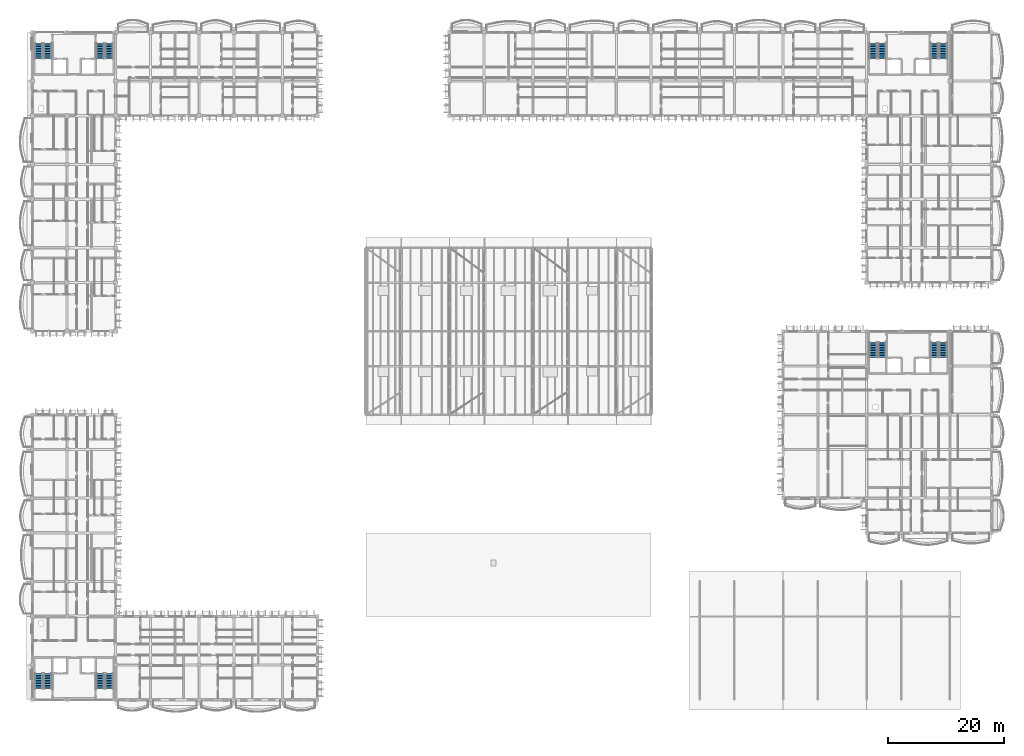
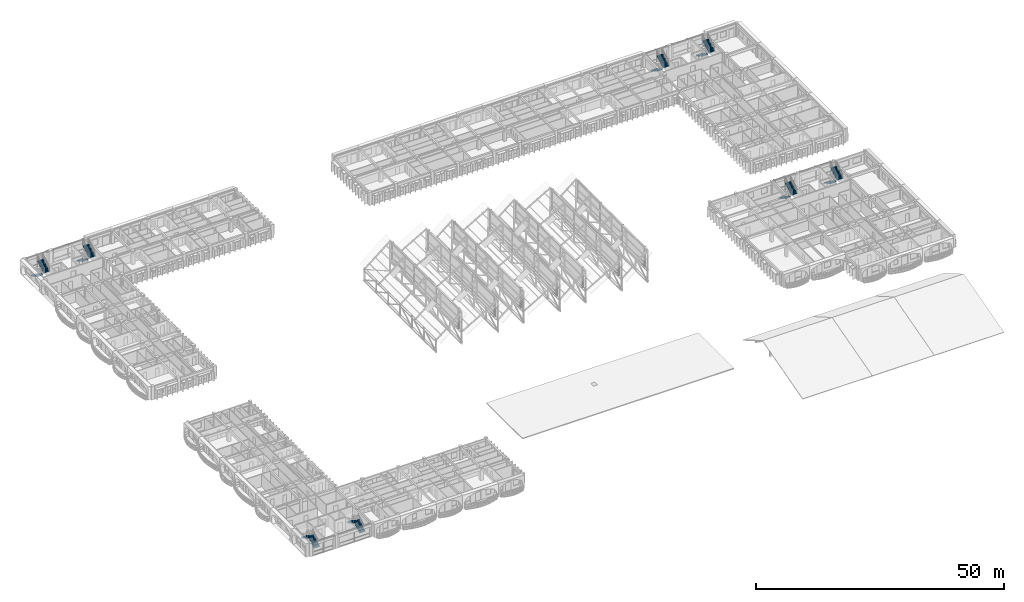
# One storey, part 67 of 101: 16 stair flights, 8 elements without a shape of their own.
"""IFC4 building model written with IfcOpenShell, lengths in metres."""

import ifcopenshell
import ifcopenshell.guid

model = None  # the IFC model being written
_history = None  # IfcOwnerHistory: only IFC2X3 demands one
_inside = {}  # id of a spatial element -> (the spatial element, [elements in it])
_under = {}  # id of a project, library or spatial element -> (it, [spatial elements below it])
_declared = {}  # id of a project -> (the project, [libraries it declares])
_typed = {}  # id of a type object -> (the type object, [elements of that type])
_made_of = {}  # id of a material, layer set ... -> (it, [elements and type objects made of it])


def new_model(schema):
    """Start an empty IFC model of exactly this schema.

    Asked for "IFC4X3", IfcOpenShell would pick the latest addendum, in which some entities
    have other attributes; the version numbers below select the first issue.
    IFC2X3 requires an IfcOwnerHistory on every rooted entity: one is made here for all.
    """
    global model, _history
    if schema == "IFC4X3":
        model = ifcopenshell.file(schema_version=(4, 3, 0, 0))
    else:
        model = ifcopenshell.file(schema=schema)
    _inside.clear()
    _under.clear()
    _declared.clear()
    _typed.clear()
    _made_of.clear()
    _history = None
    if model.schema == "IFC2X3":
        org = make("IfcOrganization", Name="unknown")
        user = make(
            "IfcPersonAndOrganization",
            ThePerson=make("IfcPerson", FamilyName="unknown"),
            TheOrganization=org,
        )
        app = make(
            "IfcApplication",
            ApplicationDeveloper=org,
            Version="unknown",
            ApplicationFullName="unknown",
            ApplicationIdentifier="unknown",
        )
        _history = make(
            "IfcOwnerHistory",
            OwningUser=user,
            OwningApplication=app,
            ChangeAction="ADDED",
            CreationDate=0,
        )
    return model


def make(cls, **values):
    """One entity of the class cls with the attributes given. An attribute that is None is left unset."""
    return model.create_entity(
        cls, **{name: value for name, value in values.items() if value is not None}
    )


def rooted(cls, **values):
    """An entity with a GlobalId (a new one), such as an element, a storey or a relation."""
    return make(cls, GlobalId=ifcopenshell.guid.new(), OwnerHistory=_history, **values)


def si_unit(unit_type, name, prefix=None):
    """IfcSIUnit, for example si_unit("LENGTHUNIT", "METRE", prefix="MILLI")."""
    return make("IfcSIUnit", UnitType=unit_type, Prefix=prefix, Name=name)


def assignment(units):
    """IfcUnitAssignment: the units of a project."""
    return None if units is None else make("IfcUnitAssignment", Units=units)


def point(xyz):
    """IfcCartesianPoint."""
    return None if xyz is None else make("IfcCartesianPoint", Coordinates=xyz)


def direction(xyz):
    """IfcDirection."""
    return None if xyz is None else make("IfcDirection", DirectionRatios=xyz)


def frame(location, z_axis=None, x_axis=None):
    """IfcAxis2Placement3D, a coordinate frame: its origin and axes. An axis left out is left unset."""
    return make(
        "IfcAxis2Placement3D",
        Location=point(location),
        Axis=direction(z_axis),
        RefDirection=direction(x_axis),
    )


def origin():
    """The frame at (0, 0, 0) with its axes left unset."""
    return frame((0.0, 0.0, 0.0))


def place(relative_to, where):
    """IfcLocalPlacement: puts the frame where relative to a parent placement (None: the world)."""
    return make(
        "IfcLocalPlacement", PlacementRelTo=relative_to, RelativePlacement=where
    )


def context(
    kind, dimensions, precision=None, world=None, true_north=None, identifier=None
):
    """IfcGeometricRepresentationContext, for example the 3D "Model" context."""
    return make(
        "IfcGeometricRepresentationContext",
        ContextIdentifier=identifier,
        ContextType=kind,
        CoordinateSpaceDimension=dimensions,
        Precision=precision,
        WorldCoordinateSystem=world,
        TrueNorth=true_north,
    )


def subcontext(parent, identifier, kind, view, scale=None):
    """IfcGeometricRepresentationSubContext, for example "Body" below "Model"."""
    return make(
        "IfcGeometricRepresentationSubContext",
        ContextIdentifier=identifier,
        ContextType=kind,
        ParentContext=parent,
        TargetScale=scale,
        TargetView=view,
    )


def project(units=None, contexts=None):
    """IfcProject with its units and contexts."""
    return rooted(
        "IfcProject",
        Name="project",
        RepresentationContexts=contexts,
        UnitsInContext=assignment(units),
    )


def spatial(cls, under=None, at=None, **own):
    """A site, building, storey or space (cls), placed at a placement, below another one or the project."""
    s = rooted(cls, ObjectPlacement=at, **own)
    if under is not None:
        _under.setdefault(under.id(), (under, []))[1].append(s)
    return s


def polyline(points):
    """IfcPolyline through the points."""
    return make("IfcPolyline", Points=[point(p) for p in points])


def outline(outer, holes=None, kind="AREA"):
    """IfcArbitraryClosedProfileDef: a profile drawn as a closed curve; with holes, ...WithVoids."""
    if holes is None:
        return make("IfcArbitraryClosedProfileDef", ProfileType=kind, OuterCurve=outer)
    return make(
        "IfcArbitraryProfileDefWithVoids",
        ProfileType=kind,
        OuterCurve=outer,
        InnerCurves=holes,
    )


def extrude(swept, where, along, depth):
    """IfcExtrudedAreaSolid: the profile swept, set in the frame where, extruded along a direction by depth."""
    return make(
        "IfcExtrudedAreaSolid",
        SweptArea=swept,
        Position=where,
        ExtrudedDirection=direction(along),
        Depth=depth,
    )


def shape(context_of_items, identifier, shape_type, items):
    """IfcShapeRepresentation: the items that make up one representation, for example the "Body"."""
    return make(
        "IfcShapeRepresentation",
        ContextOfItems=context_of_items,
        RepresentationIdentifier=identifier,
        RepresentationType=shape_type,
        Items=items,
    )


def material(Name=None, Category=None):
    """IfcMaterial."""
    return make("IfcMaterial", Name=Name, Category=Category)


def made_of(thing, what):
    """Note that an element or type object is made of a material, layer set ...; save() writes the relation."""
    if what is not None:
        _made_of.setdefault(what.id(), (what, []))[1].append(thing)
    return thing


def type_object(cls, material=None, **own):
    """A type object (cls), such as IfcWallType, which elements share."""
    return made_of(rooted(cls, **own), material)


def element(
    cls,
    number,
    at=None,
    inside=None,
    cuts=None,
    type_object=None,
    material=None,
    context=None,
    identifier="Body",
    shape_type=None,
    held_by="IfcProductDefinitionShape",
    body=None,
    shapes=None,
    **own,
):
    """One element of the class cls, such as IfcWall. Its Tag is "e" and its number.

    at: its placement. inside: the storey or other place that contains it. cuts: it is an
    opening in that element (IfcRelVoidsElement). A single representation is given by context,
    identifier, shape_type and body (its items); several are given by shapes. held_by: the class
    of the entity that holds the representations. save() writes the other relations.
    """
    e = rooted(cls, Tag="e%d" % number, ObjectPlacement=at, **own)
    if body is not None:
        shapes = [shape(context, identifier, shape_type, body)]
    if shapes is not None:
        e.Representation = make(held_by, Representations=shapes)
    if inside is not None:
        _inside.setdefault(inside.id(), (inside, []))[1].append(e)
    if cuts is not None:
        rooted(
            "IfcRelVoidsElement", RelatingBuildingElement=cuts, RelatedOpeningElement=e
        )
    if type_object is not None:
        _typed.setdefault(type_object.id(), (type_object, []))[1].append(e)
    return made_of(e, material)


def aggregate(whole, parts):
    """IfcRelAggregates: a whole, such as a stair, and the parts it consists of."""
    return rooted("IfcRelAggregates", RelatingObject=whole, RelatedObjects=parts)


def save(model, path):
    """Write the relations noted so far, then the file.

    IfcRelAggregates (storeys below a building ...), IfcRelContainedInSpatialStructure (elements
    in a storey), IfcRelDefinesByType, IfcRelAssociatesMaterial and IfcRelDeclares: one each for
    every whole, place, type object, material and project.
    """
    for whole, parts in _under.values():
        aggregate(whole, parts)
    for where, things in _inside.values():
        rooted(
            "IfcRelContainedInSpatialStructure",
            RelatedElements=things,
            RelatingStructure=where,
        )
    for kind, things in _typed.values():
        rooted("IfcRelDefinesByType", RelatedObjects=things, RelatingType=kind)
    for what, things in _made_of.values():
        rooted("IfcRelAssociatesMaterial", RelatedObjects=things, RelatingMaterial=what)
    for by, libraries in _declared.values():
        rooted("IfcRelDeclares", RelatingContext=by, RelatedDefinitions=libraries)
    model.write(path)


model = new_model("IFC4")

# Units and contexts
model_context = context("Model", 3, precision=1e-05, world=origin(), true_north=direction((0.0, 1.0)))
body_context = subcontext(model_context, "Body", "Model", "MODEL_VIEW")
ifc_project = project(units=[si_unit("LENGTHUNIT", "METRE"), si_unit("AREAUNIT", "SQUARE_METRE"), si_unit("VOLUMEUNIT", "CUBIC_METRE"), si_unit("PLANEANGLEUNIT", "RADIAN"), si_unit("MASSUNIT", "GRAM", prefix="KILO"), si_unit("THERMODYNAMICTEMPERATUREUNIT", "KELVIN")], contexts=[model_context])

# Site, building, storey
site_placement = place(None, origin())
site = spatial("IfcSite", under=ifc_project, at=site_placement, CompositionType="ELEMENT")
building_placement = place(site_placement, origin())
building = spatial("IfcBuilding", under=site, at=building_placement, Name="Thalorik Housing Commons", CompositionType="ELEMENT")
storey_placement = place(building_placement, frame((0.0, 0.0, 8.10009765625)))
storey = spatial("IfcBuildingStorey", under=building, at=storey_placement, Name="L02", CompositionType="ELEMENT", Elevation=8.10009765625)

# Stair, stair flights
ifc_material = material(Name="Precast concrete C40/50", Category="concrete")
stair_type = type_object("IfcStairType", Name="ARC-STR-1350-R20", PredefinedType="HALF_TURN_STAIR", material=ifc_material)
stair_1_placement = place(storey_placement, origin())
stair_1 = element("IfcStair", 1, at=stair_1_placement, inside=storey, type_object=stair_type, Name="L02 Block A Smoke-Proof Stair 1", PredefinedType="HALF_TURN_STAIR")
stair_flight_type = type_object("IfcStairFlightType", Name="ARC-SFLT-1350-R10", PredefinedType="STRAIGHT", material=ifc_material)
stair_flight_1_placement = place(storey_placement, frame((9.52490234375, 121.699951171875, 0.0), z_axis=(0.0, 0.0, 1.0), x_axis=(0.0, -1.0, 0.0)))
stair_flight_1 = element("IfcStairFlight", 2, at=stair_flight_1_placement, type_object=stair_flight_type, Name="ST-A1 flight 1", NumberOfRisers=10, NumberOfTreads=9, PredefinedType="STRAIGHT", RiserHeight=0.165, TreadLength=0.29, context=body_context, shape_type="SweptSolid", body=[
    extrude(outline(polyline([(0.0, 0.0), (0.0, 0.1650390625), (0.2900390625, 0.1650390625), (0.2900390625, 0.330078125), (0.580078125, 0.330078125), (0.580078125, 0.4951171875), (0.8701171875, 0.4951171875), (0.8701171875, 0.659912109375), (1.159912109375, 0.659912109375), (1.159912109375, 0.824951171875), (1.449951171875, 0.824951171875), (1.449951171875, 0.989990234375), (1.739990234375, 0.989990234375), (1.739990234375, 1.155029296875), (2.030029296875, 1.155029296875), (2.030029296875, 1.320068359375), (2.320068359375, 1.320068359375), (2.320068359375, 1.485107421875), (2.610107421875, 1.485107421875), (2.610107421875, 1.64990234375), (2.610107421875, 1.301025390625), (0.323486328125, 0.0), (0.0, 0.0)])), frame((0.0, 0.675048828125, 0.0), z_axis=(0.0, -1.0, 0.0), x_axis=(1.0, 0.0, 0.0)), (0.0, 0.0, 1.0), 1.35009765625),
])
stair_flight_2_placement = place(storey_placement, frame((11.074951171875, 119.090087890625, 1.64990234375), z_axis=(0.0, 0.0, 1.0), x_axis=(0.0, 1.0, 0.0)))
stair_flight_2 = element("IfcStairFlight", 3, at=stair_flight_2_placement, type_object=stair_flight_type, Name="ST-A1 flight 2", NumberOfRisers=10, NumberOfTreads=9, PredefinedType="STRAIGHT", RiserHeight=0.165, TreadLength=0.29, context=body_context, shape_type="SweptSolid", body=[
    extrude(outline(polyline([(0.0, 0.0), (0.0, 0.1650390625), (0.2900390625, 0.1650390625), (0.2900390625, 0.330078125), (0.580078125, 0.330078125), (0.580078125, 0.4951171875), (0.8701171875, 0.4951171875), (0.8701171875, 0.659912109375), (1.159912109375, 0.659912109375), (1.159912109375, 0.824951171875), (1.449951171875, 0.824951171875), (1.449951171875, 0.989990234375), (1.739990234375, 0.989990234375), (1.739990234375, 1.155029296875), (2.030029296875, 1.155029296875), (2.030029296875, 1.320068359375), (2.320068359375, 1.320068359375), (2.320068359375, 1.485107421875), (2.610107421875, 1.485107421875), (2.610107421875, 1.64990234375), (2.610107421875, 1.301025390625), (0.323486328125, 0.0), (0.0, 0.0)])), frame((0.0, 0.675048828125, 0.0), z_axis=(0.0, -1.0, 0.0), x_axis=(1.0, 0.0, 0.0)), (0.0, 0.0, 1.0), 1.35009765625),
])
aggregate(stair_1, [stair_flight_1, stair_flight_2])

stair_2_placement = place(storey_placement, origin())
stair_2 = element("IfcStair", 4, at=stair_2_placement, inside=storey, type_object=stair_type, Name="L02 Block A Smoke-Proof Stair 2", PredefinedType="HALF_TURN_STAIR")
stair_flight_3_placement = place(storey_placement, frame((20.125, 121.699951171875, 0.0), z_axis=(0.0, 0.0, 1.0), x_axis=(0.0, -1.0, 0.0)))
stair_flight_3 = element("IfcStairFlight", 5, at=stair_flight_3_placement, type_object=stair_flight_type, Name="ST-A2 flight 1", NumberOfRisers=10, NumberOfTreads=9, PredefinedType="STRAIGHT", RiserHeight=0.165, TreadLength=0.29, context=body_context, shape_type="SweptSolid", body=[
    extrude(outline(polyline([(0.0, 0.0), (0.0, 0.1650390625), (0.2900390625, 0.1650390625), (0.2900390625, 0.330078125), (0.580078125, 0.330078125), (0.580078125, 0.4951171875), (0.8701171875, 0.4951171875), (0.8701171875, 0.659912109375), (1.159912109375, 0.659912109375), (1.159912109375, 0.824951171875), (1.449951171875, 0.824951171875), (1.449951171875, 0.989990234375), (1.739990234375, 0.989990234375), (1.739990234375, 1.155029296875), (2.030029296875, 1.155029296875), (2.030029296875, 1.320068359375), (2.320068359375, 1.320068359375), (2.320068359375, 1.485107421875), (2.610107421875, 1.485107421875), (2.610107421875, 1.64990234375), (2.610107421875, 1.301025390625), (0.323486328125, 0.0), (0.0, 0.0)])), frame((0.0, 0.675048828125, 0.0), z_axis=(0.0, -1.0, 0.0), x_axis=(1.0, 0.0, 0.0)), (0.0, 0.0, 1.0), 1.35009765625),
])
stair_flight_4_placement = place(storey_placement, frame((21.675048828125, 119.090087890625, 1.64990234375), z_axis=(0.0, 0.0, 1.0), x_axis=(0.0, 1.0, 0.0)))
stair_flight_4 = element("IfcStairFlight", 6, at=stair_flight_4_placement, type_object=stair_flight_type, Name="ST-A2 flight 2", NumberOfRisers=10, NumberOfTreads=9, PredefinedType="STRAIGHT", RiserHeight=0.165, TreadLength=0.29, context=body_context, shape_type="SweptSolid", body=[
    extrude(outline(polyline([(0.0, 0.0), (0.0, 0.1650390625), (0.2900390625, 0.1650390625), (0.2900390625, 0.330078125), (0.580078125, 0.330078125), (0.580078125, 0.4951171875), (0.8701171875, 0.4951171875), (0.8701171875, 0.659912109375), (1.159912109375, 0.659912109375), (1.159912109375, 0.824951171875), (1.449951171875, 0.824951171875), (1.449951171875, 0.989990234375), (1.739990234375, 0.989990234375), (1.739990234375, 1.155029296875), (2.030029296875, 1.155029296875), (2.030029296875, 1.320068359375), (2.320068359375, 1.320068359375), (2.320068359375, 1.485107421875), (2.610107421875, 1.485107421875), (2.610107421875, 1.64990234375), (2.610107421875, 1.301025390625), (0.323486328125, 0.0), (0.0, 0.0)])), frame((0.0, 0.675048828125, 0.0), z_axis=(0.0, -1.0, 0.0), x_axis=(1.0, 0.0, 0.0)), (0.0, 0.0, 1.0), 1.35009765625),
])
aggregate(stair_2, [stair_flight_3, stair_flight_4])

stair_3_placement = place(storey_placement, origin())
stair_3 = element("IfcStair", 7, at=stair_3_placement, inside=storey, type_object=stair_type, Name="L02 Block B Smoke-Proof Stair 1", PredefinedType="HALF_TURN_STAIR")
stair_flight_5_placement = place(storey_placement, frame((153.52490234375, 121.699951171875, 0.0), z_axis=(0.0, 0.0, 1.0), x_axis=(0.0, -1.0, 0.0)))
stair_flight_5 = element("IfcStairFlight", 8, at=stair_flight_5_placement, type_object=stair_flight_type, Name="ST-B1 flight 1", NumberOfRisers=10, NumberOfTreads=9, PredefinedType="STRAIGHT", RiserHeight=0.165, TreadLength=0.29, context=body_context, shape_type="SweptSolid", body=[
    extrude(outline(polyline([(0.0, 0.0), (0.0, 0.1650390625), (0.2900390625, 0.1650390625), (0.2900390625, 0.330078125), (0.580078125, 0.330078125), (0.580078125, 0.4951171875), (0.8701171875, 0.4951171875), (0.8701171875, 0.659912109375), (1.159912109375, 0.659912109375), (1.159912109375, 0.824951171875), (1.449951171875, 0.824951171875), (1.449951171875, 0.989990234375), (1.739990234375, 0.989990234375), (1.739990234375, 1.155029296875), (2.030029296875, 1.155029296875), (2.030029296875, 1.320068359375), (2.320068359375, 1.320068359375), (2.320068359375, 1.485107421875), (2.610107421875, 1.485107421875), (2.610107421875, 1.64990234375), (2.610107421875, 1.301025390625), (0.323486328125, 0.0), (0.0, 0.0)])), frame((0.0, 0.675048828125, 0.0), z_axis=(0.0, -1.0, 0.0), x_axis=(1.0, 0.0, 0.0)), (0.0, 0.0, 1.0), 1.35009765625),
])
stair_flight_6_placement = place(storey_placement, frame((155.074951171875, 119.090087890625, 1.64990234375), z_axis=(0.0, 0.0, 1.0), x_axis=(0.0, 1.0, 0.0)))
stair_flight_6 = element("IfcStairFlight", 9, at=stair_flight_6_placement, type_object=stair_flight_type, Name="ST-B1 flight 2", NumberOfRisers=10, NumberOfTreads=9, PredefinedType="STRAIGHT", RiserHeight=0.165, TreadLength=0.29, context=body_context, shape_type="SweptSolid", body=[
    extrude(outline(polyline([(0.0, 0.0), (0.0, 0.1650390625), (0.2900390625, 0.1650390625), (0.2900390625, 0.330078125), (0.580078125, 0.330078125), (0.580078125, 0.4951171875), (0.8701171875, 0.4951171875), (0.8701171875, 0.659912109375), (1.159912109375, 0.659912109375), (1.159912109375, 0.824951171875), (1.449951171875, 0.824951171875), (1.449951171875, 0.989990234375), (1.739990234375, 0.989990234375), (1.739990234375, 1.155029296875), (2.030029296875, 1.155029296875), (2.030029296875, 1.320068359375), (2.320068359375, 1.320068359375), (2.320068359375, 1.485107421875), (2.610107421875, 1.485107421875), (2.610107421875, 1.64990234375), (2.610107421875, 1.301025390625), (0.323486328125, 0.0), (0.0, 0.0)])), frame((0.0, 0.675048828125, 0.0), z_axis=(0.0, -1.0, 0.0), x_axis=(1.0, 0.0, 0.0)), (0.0, 0.0, 1.0), 1.35009765625),
])
aggregate(stair_3, [stair_flight_5, stair_flight_6])

stair_4_placement = place(storey_placement, origin())
stair_4 = element("IfcStair", 10, at=stair_4_placement, inside=storey, type_object=stair_type, Name="L02 Block B Smoke-Proof Stair 2", PredefinedType="HALF_TURN_STAIR")
stair_flight_7_placement = place(storey_placement, frame((164.125, 121.699951171875, 0.0), z_axis=(0.0, 0.0, 1.0), x_axis=(0.0, -1.0, 0.0)))
stair_flight_7 = element("IfcStairFlight", 11, at=stair_flight_7_placement, type_object=stair_flight_type, Name="ST-B2 flight 1", NumberOfRisers=10, NumberOfTreads=9, PredefinedType="STRAIGHT", RiserHeight=0.165, TreadLength=0.29, context=body_context, shape_type="SweptSolid", body=[
    extrude(outline(polyline([(0.0, 0.0), (0.0, 0.1650390625), (0.2900390625, 0.1650390625), (0.2900390625, 0.330078125), (0.580078125, 0.330078125), (0.580078125, 0.4951171875), (0.8701171875, 0.4951171875), (0.8701171875, 0.659912109375), (1.159912109375, 0.659912109375), (1.159912109375, 0.824951171875), (1.449951171875, 0.824951171875), (1.449951171875, 0.989990234375), (1.739990234375, 0.989990234375), (1.739990234375, 1.155029296875), (2.030029296875, 1.155029296875), (2.030029296875, 1.320068359375), (2.320068359375, 1.320068359375), (2.320068359375, 1.485107421875), (2.610107421875, 1.485107421875), (2.610107421875, 1.64990234375), (2.610107421875, 1.301025390625), (0.323486328125, 0.0), (0.0, 0.0)])), frame((0.0, 0.675048828125, 0.0), z_axis=(0.0, -1.0, 0.0), x_axis=(1.0, 0.0, 0.0)), (0.0, 0.0, 1.0), 1.35009765625),
])
stair_flight_8_placement = place(storey_placement, frame((165.675048828125, 119.090087890625, 1.64990234375), z_axis=(0.0, 0.0, 1.0), x_axis=(0.0, 1.0, 0.0)))
stair_flight_8 = element("IfcStairFlight", 12, at=stair_flight_8_placement, type_object=stair_flight_type, Name="ST-B2 flight 2", NumberOfRisers=10, NumberOfTreads=9, PredefinedType="STRAIGHT", RiserHeight=0.165, TreadLength=0.29, context=body_context, shape_type="SweptSolid", body=[
    extrude(outline(polyline([(0.0, 0.0), (0.0, 0.1650390625), (0.2900390625, 0.1650390625), (0.2900390625, 0.330078125), (0.580078125, 0.330078125), (0.580078125, 0.4951171875), (0.8701171875, 0.4951171875), (0.8701171875, 0.659912109375), (1.159912109375, 0.659912109375), (1.159912109375, 0.824951171875), (1.449951171875, 0.824951171875), (1.449951171875, 0.989990234375), (1.739990234375, 0.989990234375), (1.739990234375, 1.155029296875), (2.030029296875, 1.155029296875), (2.030029296875, 1.320068359375), (2.320068359375, 1.320068359375), (2.320068359375, 1.485107421875), (2.610107421875, 1.485107421875), (2.610107421875, 1.64990234375), (2.610107421875, 1.301025390625), (0.323486328125, 0.0), (0.0, 0.0)])), frame((0.0, 0.675048828125, 0.0), z_axis=(0.0, -1.0, 0.0), x_axis=(1.0, 0.0, 0.0)), (0.0, 0.0, 1.0), 1.35009765625),
])
aggregate(stair_4, [stair_flight_7, stair_flight_8])

stair_5_placement = place(storey_placement, origin())
stair_5 = element("IfcStair", 13, at=stair_5_placement, inside=storey, type_object=stair_type, Name="L02 Block C Smoke-Proof Stair 1", PredefinedType="HALF_TURN_STAIR")
stair_flight_9_placement = place(storey_placement, frame((11.074951171875, 10.300048828125, 0.0), z_axis=(0.0, 0.0, 1.0), x_axis=(0.0, 1.0, 0.0)))
stair_flight_9 = element("IfcStairFlight", 14, at=stair_flight_9_placement, type_object=stair_flight_type, Name="ST-C1 flight 1", NumberOfRisers=10, NumberOfTreads=9, PredefinedType="STRAIGHT", RiserHeight=0.165, TreadLength=0.29, context=body_context, shape_type="SweptSolid", body=[
    extrude(outline(polyline([(0.0, 0.0), (0.0, 0.1650390625), (0.2900390625, 0.1650390625), (0.2900390625, 0.330078125), (0.580078125, 0.330078125), (0.580078125, 0.4951171875), (0.8701171875, 0.4951171875), (0.8701171875, 0.659912109375), (1.159912109375, 0.659912109375), (1.159912109375, 0.824951171875), (1.449951171875, 0.824951171875), (1.449951171875, 0.989990234375), (1.739990234375, 0.989990234375), (1.739990234375, 1.155029296875), (2.030029296875, 1.155029296875), (2.030029296875, 1.320068359375), (2.320068359375, 1.320068359375), (2.320068359375, 1.485107421875), (2.610107421875, 1.485107421875), (2.610107421875, 1.64990234375), (2.610107421875, 1.301025390625), (0.323486328125, 0.0), (0.0, 0.0)])), frame((0.0, 0.675048828125, 0.0), z_axis=(0.0, -1.0, 0.0), x_axis=(1.0, 0.0, 0.0)), (0.0, 0.0, 1.0), 1.35009765625),
])
stair_flight_10_placement = place(storey_placement, frame((9.52490234375, 12.909912109375, 1.64990234375), z_axis=(0.0, 0.0, 1.0), x_axis=(0.0, -1.0, 0.0)))
stair_flight_10 = element("IfcStairFlight", 15, at=stair_flight_10_placement, type_object=stair_flight_type, Name="ST-C1 flight 2", NumberOfRisers=10, NumberOfTreads=9, PredefinedType="STRAIGHT", RiserHeight=0.165, TreadLength=0.29, context=body_context, shape_type="SweptSolid", body=[
    extrude(outline(polyline([(0.0, 0.0), (0.0, 0.1650390625), (0.2900390625, 0.1650390625), (0.2900390625, 0.330078125), (0.580078125, 0.330078125), (0.580078125, 0.4951171875), (0.8701171875, 0.4951171875), (0.8701171875, 0.659912109375), (1.159912109375, 0.659912109375), (1.159912109375, 0.824951171875), (1.449951171875, 0.824951171875), (1.449951171875, 0.989990234375), (1.739990234375, 0.989990234375), (1.739990234375, 1.155029296875), (2.030029296875, 1.155029296875), (2.030029296875, 1.320068359375), (2.320068359375, 1.320068359375), (2.320068359375, 1.485107421875), (2.610107421875, 1.485107421875), (2.610107421875, 1.64990234375), (2.610107421875, 1.301025390625), (0.323486328125, 0.0), (0.0, 0.0)])), frame((0.0, 0.675048828125, 0.0), z_axis=(0.0, -1.0, 0.0), x_axis=(1.0, 0.0, 0.0)), (0.0, 0.0, 1.0), 1.35009765625),
])
aggregate(stair_5, [stair_flight_9, stair_flight_10])

stair_6_placement = place(storey_placement, origin())
stair_6 = element("IfcStair", 16, at=stair_6_placement, inside=storey, type_object=stair_type, Name="L02 Block C Smoke-Proof Stair 2", PredefinedType="HALF_TURN_STAIR")
stair_flight_11_placement = place(storey_placement, frame((21.675048828125, 10.300048828125, 0.0), z_axis=(0.0, 0.0, 1.0), x_axis=(0.0, 1.0, 0.0)))
stair_flight_11 = element("IfcStairFlight", 17, at=stair_flight_11_placement, type_object=stair_flight_type, Name="ST-C2 flight 1", NumberOfRisers=10, NumberOfTreads=9, PredefinedType="STRAIGHT", RiserHeight=0.165, TreadLength=0.29, context=body_context, shape_type="SweptSolid", body=[
    extrude(outline(polyline([(0.0, 0.0), (0.0, 0.1650390625), (0.2900390625, 0.1650390625), (0.2900390625, 0.330078125), (0.580078125, 0.330078125), (0.580078125, 0.4951171875), (0.8701171875, 0.4951171875), (0.8701171875, 0.659912109375), (1.159912109375, 0.659912109375), (1.159912109375, 0.824951171875), (1.449951171875, 0.824951171875), (1.449951171875, 0.989990234375), (1.739990234375, 0.989990234375), (1.739990234375, 1.155029296875), (2.030029296875, 1.155029296875), (2.030029296875, 1.320068359375), (2.320068359375, 1.320068359375), (2.320068359375, 1.485107421875), (2.610107421875, 1.485107421875), (2.610107421875, 1.64990234375), (2.610107421875, 1.301025390625), (0.323486328125, 0.0), (0.0, 0.0)])), frame((0.0, 0.675048828125, 0.0), z_axis=(0.0, -1.0, 0.0), x_axis=(1.0, 0.0, 0.0)), (0.0, 0.0, 1.0), 1.35009765625),
])
stair_flight_12_placement = place(storey_placement, frame((20.125, 12.909912109375, 1.64990234375), z_axis=(0.0, 0.0, 1.0), x_axis=(0.0, -1.0, 0.0)))
stair_flight_12 = element("IfcStairFlight", 18, at=stair_flight_12_placement, type_object=stair_flight_type, Name="ST-C2 flight 2", NumberOfRisers=10, NumberOfTreads=9, PredefinedType="STRAIGHT", RiserHeight=0.165, TreadLength=0.29, context=body_context, shape_type="SweptSolid", body=[
    extrude(outline(polyline([(0.0, 0.0), (0.0, 0.1650390625), (0.2900390625, 0.1650390625), (0.2900390625, 0.330078125), (0.580078125, 0.330078125), (0.580078125, 0.4951171875), (0.8701171875, 0.4951171875), (0.8701171875, 0.659912109375), (1.159912109375, 0.659912109375), (1.159912109375, 0.824951171875), (1.449951171875, 0.824951171875), (1.449951171875, 0.989990234375), (1.739990234375, 0.989990234375), (1.739990234375, 1.155029296875), (2.030029296875, 1.155029296875), (2.030029296875, 1.320068359375), (2.320068359375, 1.320068359375), (2.320068359375, 1.485107421875), (2.610107421875, 1.485107421875), (2.610107421875, 1.64990234375), (2.610107421875, 1.301025390625), (0.323486328125, 0.0), (0.0, 0.0)])), frame((0.0, 0.675048828125, 0.0), z_axis=(0.0, -1.0, 0.0), x_axis=(1.0, 0.0, 0.0)), (0.0, 0.0, 1.0), 1.35009765625),
])
aggregate(stair_6, [stair_flight_11, stair_flight_12])

stair_7_placement = place(storey_placement, origin())
stair_7 = element("IfcStair", 19, at=stair_7_placement, inside=storey, type_object=stair_type, Name="L02 Block D Smoke-Proof Stair 1", PredefinedType="HALF_TURN_STAIR")
stair_flight_13_placement = place(storey_placement, frame((153.52490234375, 70.10009765625, 0.0), z_axis=(0.0, 0.0, 1.0), x_axis=(0.0, -1.0, 0.0)))
stair_flight_13 = element("IfcStairFlight", 20, at=stair_flight_13_placement, type_object=stair_flight_type, Name="ST-D1 flight 1", NumberOfRisers=10, NumberOfTreads=9, PredefinedType="STRAIGHT", RiserHeight=0.165, TreadLength=0.29, context=body_context, shape_type="SweptSolid", body=[
    extrude(outline(polyline([(0.0, 0.0), (0.0, 0.1650390625), (0.2900390625, 0.1650390625), (0.2900390625, 0.330078125), (0.580078125, 0.330078125), (0.580078125, 0.4951171875), (0.8701171875, 0.4951171875), (0.8701171875, 0.659912109375), (1.159912109375, 0.659912109375), (1.159912109375, 0.824951171875), (1.449951171875, 0.824951171875), (1.449951171875, 0.989990234375), (1.739990234375, 0.989990234375), (1.739990234375, 1.155029296875), (2.030029296875, 1.155029296875), (2.030029296875, 1.320068359375), (2.320068359375, 1.320068359375), (2.320068359375, 1.485107421875), (2.610107421875, 1.485107421875), (2.610107421875, 1.64990234375), (2.610107421875, 1.301025390625), (0.323486328125, 0.0), (0.0, 0.0)])), frame((0.0, 0.675048828125, 0.0), z_axis=(0.0, -1.0, 0.0), x_axis=(1.0, 0.0, 0.0)), (0.0, 0.0, 1.0), 1.35009765625),
])
stair_flight_14_placement = place(storey_placement, frame((155.074951171875, 67.489990234375, 1.64990234375), z_axis=(0.0, 0.0, 1.0), x_axis=(0.0, 1.0, 0.0)))
stair_flight_14 = element("IfcStairFlight", 21, at=stair_flight_14_placement, type_object=stair_flight_type, Name="ST-D1 flight 2", NumberOfRisers=10, NumberOfTreads=9, PredefinedType="STRAIGHT", RiserHeight=0.165, TreadLength=0.29, context=body_context, shape_type="SweptSolid", body=[
    extrude(outline(polyline([(0.0, 0.0), (0.0, 0.1650390625), (0.2900390625, 0.1650390625), (0.2900390625, 0.330078125), (0.580078125, 0.330078125), (0.580078125, 0.4951171875), (0.8701171875, 0.4951171875), (0.8701171875, 0.659912109375), (1.159912109375, 0.659912109375), (1.159912109375, 0.824951171875), (1.449951171875, 0.824951171875), (1.449951171875, 0.989990234375), (1.739990234375, 0.989990234375), (1.739990234375, 1.155029296875), (2.030029296875, 1.155029296875), (2.030029296875, 1.320068359375), (2.320068359375, 1.320068359375), (2.320068359375, 1.485107421875), (2.610107421875, 1.485107421875), (2.610107421875, 1.64990234375), (2.610107421875, 1.301025390625), (0.323486328125, 0.0), (0.0, 0.0)])), frame((0.0, 0.675048828125, 0.0), z_axis=(0.0, -1.0, 0.0), x_axis=(1.0, 0.0, 0.0)), (0.0, 0.0, 1.0), 1.35009765625),
])
aggregate(stair_7, [stair_flight_13, stair_flight_14])

stair_8_placement = place(storey_placement, origin())
stair_8 = element("IfcStair", 22, at=stair_8_placement, inside=storey, type_object=stair_type, Name="L02 Block D Smoke-Proof Stair 2", PredefinedType="HALF_TURN_STAIR")
stair_flight_15_placement = place(storey_placement, frame((164.125, 70.10009765625, 0.0), z_axis=(0.0, 0.0, 1.0), x_axis=(0.0, -1.0, 0.0)))
stair_flight_15 = element("IfcStairFlight", 23, at=stair_flight_15_placement, type_object=stair_flight_type, Name="ST-D2 flight 1", NumberOfRisers=10, NumberOfTreads=9, PredefinedType="STRAIGHT", RiserHeight=0.165, TreadLength=0.29, context=body_context, shape_type="SweptSolid", body=[
    extrude(outline(polyline([(0.0, 0.0), (0.0, 0.1650390625), (0.2900390625, 0.1650390625), (0.2900390625, 0.330078125), (0.580078125, 0.330078125), (0.580078125, 0.4951171875), (0.8701171875, 0.4951171875), (0.8701171875, 0.659912109375), (1.159912109375, 0.659912109375), (1.159912109375, 0.824951171875), (1.449951171875, 0.824951171875), (1.449951171875, 0.989990234375), (1.739990234375, 0.989990234375), (1.739990234375, 1.155029296875), (2.030029296875, 1.155029296875), (2.030029296875, 1.320068359375), (2.320068359375, 1.320068359375), (2.320068359375, 1.485107421875), (2.610107421875, 1.485107421875), (2.610107421875, 1.64990234375), (2.610107421875, 1.301025390625), (0.323486328125, 0.0), (0.0, 0.0)])), frame((0.0, 0.675048828125, 0.0), z_axis=(0.0, -1.0, 0.0), x_axis=(1.0, 0.0, 0.0)), (0.0, 0.0, 1.0), 1.35009765625),
])
stair_flight_16_placement = place(storey_placement, frame((165.675048828125, 67.489990234375, 1.64990234375), z_axis=(0.0, 0.0, 1.0), x_axis=(0.0, 1.0, 0.0)))
stair_flight_16 = element("IfcStairFlight", 24, at=stair_flight_16_placement, type_object=stair_flight_type, Name="ST-D2 flight 2", NumberOfRisers=10, NumberOfTreads=9, PredefinedType="STRAIGHT", RiserHeight=0.165, TreadLength=0.29, context=body_context, shape_type="SweptSolid", body=[
    extrude(outline(polyline([(0.0, 0.0), (0.0, 0.1650390625), (0.2900390625, 0.1650390625), (0.2900390625, 0.330078125), (0.580078125, 0.330078125), (0.580078125, 0.4951171875), (0.8701171875, 0.4951171875), (0.8701171875, 0.659912109375), (1.159912109375, 0.659912109375), (1.159912109375, 0.824951171875), (1.449951171875, 0.824951171875), (1.449951171875, 0.989990234375), (1.739990234375, 0.989990234375), (1.739990234375, 1.155029296875), (2.030029296875, 1.155029296875), (2.030029296875, 1.320068359375), (2.320068359375, 1.320068359375), (2.320068359375, 1.485107421875), (2.610107421875, 1.485107421875), (2.610107421875, 1.64990234375), (2.610107421875, 1.301025390625), (0.323486328125, 0.0), (0.0, 0.0)])), frame((0.0, 0.675048828125, 0.0), z_axis=(0.0, -1.0, 0.0), x_axis=(1.0, 0.0, 0.0)), (0.0, 0.0, 1.0), 1.35009765625),
])
aggregate(stair_8, [stair_flight_15, stair_flight_16])

save(model, "model.ifc")
